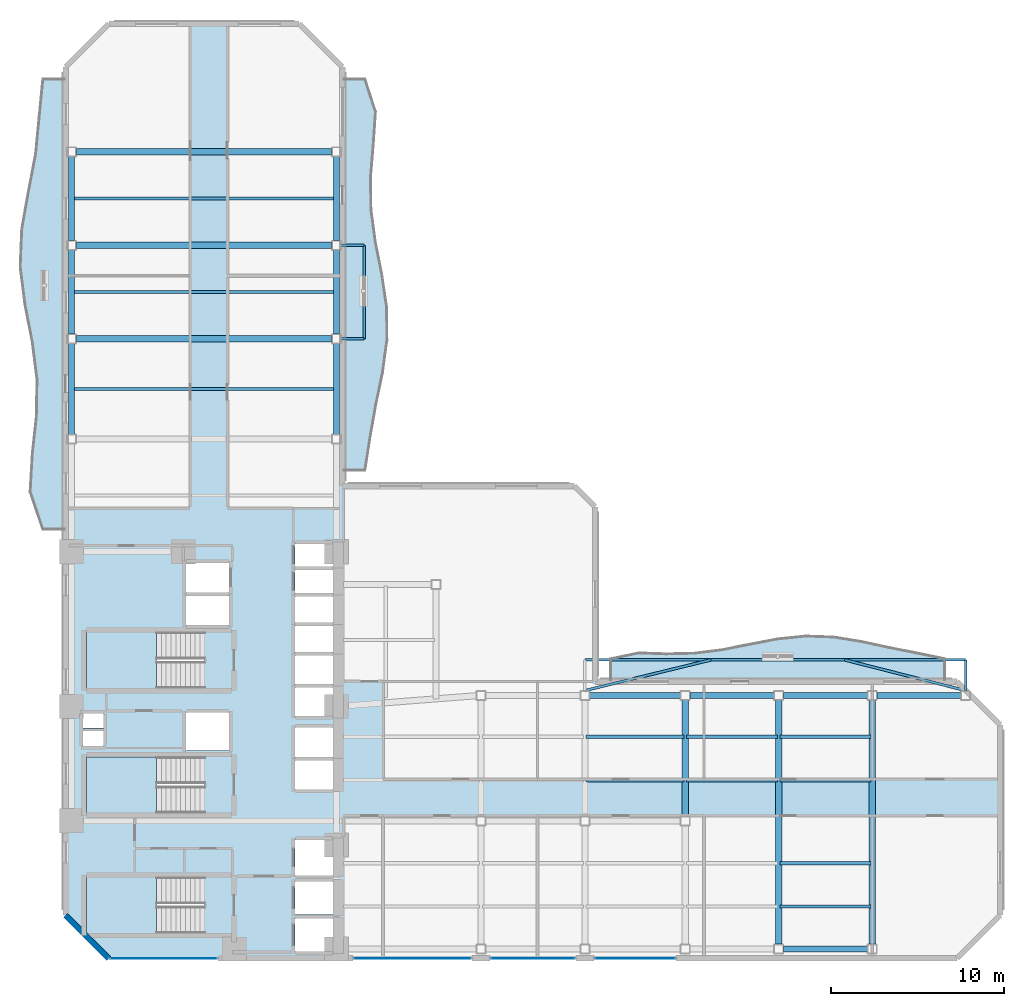
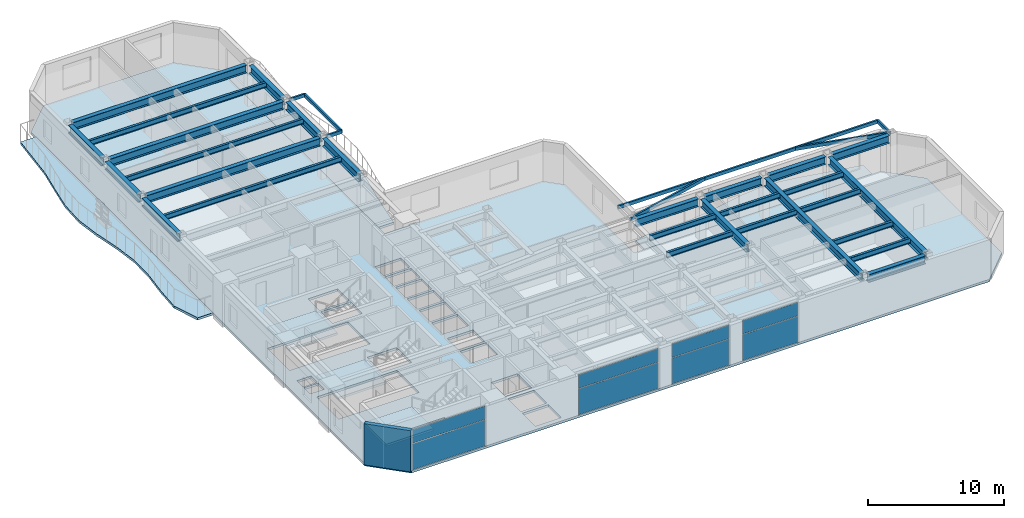
# One storey, part 8 of 16: 35 beams, 8 plates, 7 slabs, 1 wall, 7 elements without a shape of their own.
"""IFC4 building model written with IfcOpenShell, lengths in metres."""

from ifc_helpers import new_model, si_unit, direction, frame, frame_2d, origin, origin_2d, place, context, subcontext, project, spatial, polyline, rectangle, hollow_rectangle, i_section, outline, extrude, material, layer, layer_set, material_profile, profile_set, type_object, element, aggregate, save


model = new_model("IFC4")

# Units and contexts
model_context = context("Model", 3, precision=1e-05, world=origin(), true_north=direction((0.0, 1.0)))
body_context = subcontext(model_context, "Body", "Model", "MODEL_VIEW")
ifc_project = project(units=[si_unit("LENGTHUNIT", "METRE"), si_unit("AREAUNIT", "SQUARE_METRE"), si_unit("VOLUMEUNIT", "CUBIC_METRE"), si_unit("PLANEANGLEUNIT", "RADIAN"), si_unit("MASSUNIT", "GRAM", prefix="KILO")], contexts=[model_context])

# Site, building, storey
site_placement = place(None, origin())
site = spatial("IfcSite", under=ifc_project, at=site_placement, CompositionType="ELEMENT")
building_placement = place(site_placement, origin())
building = spatial("IfcBuilding", under=site, at=building_placement, Name="Mawjaban Terraces University", CompositionType="ELEMENT")
storey_placement = place(building_placement, frame((0.0, 0.0, 54.39990234375)))
storey = spatial("IfcBuildingStorey", under=building, at=storey_placement, Name="L12", CompositionType="ELEMENT", Elevation=54.39990234375)

# Beams
ifc_material_1 = material(Name="Steel EN 10210-1 S355J2H", Category="steel")
ifc_material_profile_1 = material_profile(ifc_material_1, hollow_rectangle(XDim=0.14990234375, YDim=0.300048828125, WallThickness=0.012451171875, at=origin_2d()), Name="RHS300X150X12.5")
ifc_profile_set_1 = profile_set([ifc_material_profile_1], Name="Steel EN 10210-1 S355J2H")
beam_type_1 = type_object("IfcBeamType", Name="BalconyCantileverSpandrel_RHS", PredefinedType="SPANDREL", material=ifc_profile_set_1)
beam_1_placement = place(storey_placement, frame((74.0, 15.47509765625, 3.5400390625), z_axis=(0.0, 1.0, 0.0), x_axis=(-1.0, 0.0, 0.0)))
element("IfcBeam", 1, at=beam_1_placement, inside=storey, type_object=beam_type_1, Name="L12 Exterior Outrigger BAL-L13-N.2", PredefinedType="SPANDREL", context=body_context, shape_type="SweptSolid", body=[
    extrude(hollow_rectangle(XDim=0.14990234375, YDim=0.300048828125, WallThickness=0.012451171875, at=origin_2d()), origin(), (0.0, 0.0, 1.0), 1.77490234375),
])
beam_2_placement = place(storey_placement, frame((52.0, 17.25, 3.5400390625), z_axis=(1.0, 0.0, 0.0), x_axis=(0.0, 1.0, 0.0)))
element("IfcBeam", 2, at=beam_2_placement, inside=storey, type_object=beam_type_1, Name="L12 Exterior Edge Spandrel BAL-L13-N", PredefinedType="SPANDREL", context=body_context, shape_type="SweptSolid", body=[
    extrude(hollow_rectangle(XDim=0.14990234375, YDim=0.300048828125, WallThickness=0.012451171875, at=origin_2d()), origin(), (0.0, 0.0, 1.0), 22.0),
])
beam_3_placement = place(storey_placement, frame((52.0, 15.47509765625, 3.5400390625), z_axis=(0.971617089305, 0.236559150678, 0.0), x_axis=(-0.236559150678, 0.971617089305, 0.0)))
element("IfcBeam", 3, at=beam_3_placement, inside=storey, type_object=beam_type_1, Name="L12 Exterior Diagonal Strut BAL-L13-N.1", PredefinedType="SPANDREL", context=body_context, shape_type="SweptSolid", body=[
    extrude(hollow_rectangle(XDim=0.14990234375, YDim=0.300048828125, WallThickness=0.012451171875, at=origin_2d()), origin(), (0.0, 0.0, 1.0), 7.5029296875),
])
beam_4_placement = place(storey_placement, frame((74.0, 15.47509765625, 3.5400390625), z_axis=(-0.96924179348, 0.246110434096, 0.0), x_axis=(-0.246110434096, -0.96924179348, 0.0)))
element("IfcBeam", 4, at=beam_4_placement, inside=storey, type_object=beam_type_1, Name="L12 Exterior Diagonal Strut BAL-L13-N.2", PredefinedType="SPANDREL", context=body_context, shape_type="SweptSolid", body=[
    extrude(hollow_rectangle(XDim=0.14990234375, YDim=0.300048828125, WallThickness=0.012451171875, at=origin_2d()), origin(), (0.0, 0.0, 1.0), 7.2119140625),
])
for number, where, z_axis, x_axis, name in (
    (5, (37.925048828125, 35.800048828125, 3.5400390625), (1.0, 0.0, 0.0), (0.0, 1.0, 0.0), "L12 Exterior Outrigger BAL-L13-E.1"),
    (6, (37.925048828125, 41.199951171875, 3.5400390625), (1.0, 0.0, 0.0), (0.0, 1.0, 0.0), "L12 Exterior Outrigger BAL-L13-E.2"),
):
    element("IfcBeam", number, at=place(storey_placement, frame(where, z_axis=z_axis, x_axis=x_axis)), inside=storey, type_object=beam_type_1, Name=name, PredefinedType="SPANDREL", context=body_context, shape_type="SweptSolid", body=[
        extrude(hollow_rectangle(XDim=0.14990234375, YDim=0.300048828125, WallThickness=0.012451171875, at=origin_2d()), origin(), (0.0, 0.0, 1.0), 1.324951171875),
    ])
beam_5_placement = place(storey_placement, frame((39.25, 35.800048828125, 3.5400390625), z_axis=(0.0, 1.0, 0.0), x_axis=(-1.0, 0.0, 0.0)))
element("IfcBeam", 7, at=beam_5_placement, inside=storey, type_object=beam_type_1, Name="L12 Exterior Edge Spandrel BAL-L13-E", PredefinedType="SPANDREL", context=body_context, shape_type="SweptSolid", body=[
    extrude(hollow_rectangle(XDim=0.14990234375, YDim=0.300048828125, WallThickness=0.012451171875, at=origin_2d()), origin(), (0.0, 0.0, 1.0), 5.39990234375),
])
ifc_material_2 = material(Name="Steel ASTM A572 Grade 50", Category="steel")
ifc_material_profile_2 = material_profile(ifc_material_2, i_section(OverallWidth=0.35498046875, OverallDepth=0.695068359375, WebThickness=0.015380859375, FlangeThickness=0.02490234375, at=origin_2d()), Name="W690X217")
ifc_profile_set_2 = profile_set([ifc_material_profile_2], Name="Steel ASTM A572 Grade 50")
beam_type_2 = type_object("IfcBeamType", Name="Beam_B_W690X217", PredefinedType="BEAM", material=ifc_profile_set_2)
beam_6_placement = place(storey_placement, frame((63.47509765625, 0.550048828125, 3.343017578125), z_axis=(1.0, 0.0, 0.0), x_axis=(0.0, 1.0, 0.0)))
element("IfcBeam", 8, at=beam_6_placement, inside=storey, type_object=beam_type_2, Name="L12 Beam BM-L12-EW-05", PredefinedType="BEAM", context=body_context, shape_type="SweptSolid", body=[
    extrude(i_section(OverallWidth=0.35498046875, OverallDepth=0.695068359375, WebThickness=0.015380859375, FlangeThickness=0.02490234375, at=origin_2d()), origin(), (0.0, 0.0, 1.0), 4.849853515625),
])
beam_7_placement = place(storey_placement, frame((52.27490234375, 15.199951171875, 3.343017578125), z_axis=(1.0, 0.0, 0.0), x_axis=(0.0, 1.0, 0.0)))
element("IfcBeam", 9, at=beam_7_placement, inside=storey, type_object=beam_type_2, Name="L12 Beam BM-L12-EW-10", PredefinedType="BEAM", context=body_context, shape_type="SweptSolid", body=[
    extrude(i_section(OverallWidth=0.35498046875, OverallDepth=0.695068359375, WebThickness=0.015380859375, FlangeThickness=0.02490234375, at=origin_2d()), origin(), (0.0, 0.0, 1.0), 5.25),
])
beam_8_placement = place(storey_placement, frame((58.074951171875, 15.199951171875, 3.343017578125), z_axis=(1.0, 0.0, 0.0), x_axis=(0.0, 1.0, 0.0)))
element("IfcBeam", 10, at=beam_8_placement, inside=storey, type_object=beam_type_2, Name="L12 Beam BM-L12-EW-11", PredefinedType="BEAM", context=body_context, shape_type="SweptSolid", body=[
    extrude(i_section(OverallWidth=0.35498046875, OverallDepth=0.695068359375, WebThickness=0.015380859375, FlangeThickness=0.02490234375, at=origin_2d()), origin(), (0.0, 0.0, 1.0), 4.85009765625),
])
beam_9_placement = place(storey_placement, frame((63.47509765625, 15.199951171875, 3.343017578125), z_axis=(1.0, 0.0, 0.0), x_axis=(0.0, 1.0, 0.0)))
element("IfcBeam", 11, at=beam_9_placement, inside=storey, type_object=beam_type_2, Name="L12 Beam BM-L12-EW-12", PredefinedType="BEAM", context=body_context, shape_type="SweptSolid", body=[
    extrude(i_section(OverallWidth=0.35498046875, OverallDepth=0.695068359375, WebThickness=0.015380859375, FlangeThickness=0.02490234375, at=origin_2d()), origin(), (0.0, 0.0, 1.0), 4.849853515625),
])
beam_10_placement = place(storey_placement, frame((68.875, 15.199951171875, 3.343017578125), z_axis=(1.0, 0.0, 0.0), x_axis=(0.0, 1.0, 0.0)))
element("IfcBeam", 12, at=beam_10_placement, inside=storey, type_object=beam_type_2, Name="L12 Beam BM-L12-EW-13", PredefinedType="BEAM", context=body_context, shape_type="SweptSolid", body=[
    extrude(i_section(OverallWidth=0.35498046875, OverallDepth=0.695068359375, WebThickness=0.015380859375, FlangeThickness=0.02490234375, at=origin_2d()), origin(), (0.0, 0.0, 1.0), 4.85009765625),
])
for number, where, z_axis, x_axis, name in (
    (13, (22.625, 35.800048828125, 3.343017578125), (1.0, 0.0, 0.0), (0.0, 1.0, 0.0), "L12 Beam BM-L12-EW-16"),
    (14, (22.625, 41.199951171875, 3.343017578125), (1.0, 0.0, 0.0), (0.0, 1.0, 0.0), "L12 Beam BM-L12-EW-17"),
    (15, (22.625, 46.60009765625, 3.343017578125), (1.0, 0.0, 0.0), (0.0, 1.0, 0.0), "L12 Beam BM-L12-EW-18"),
):
    element("IfcBeam", number, at=place(storey_placement, frame(where, z_axis=z_axis, x_axis=x_axis)), inside=storey, type_object=beam_type_2, Name=name, PredefinedType="BEAM", context=body_context, shape_type="SweptSolid", body=[
        extrude(i_section(OverallWidth=0.35498046875, OverallDepth=0.695068359375, WebThickness=0.015380859375, FlangeThickness=0.02490234375, at=origin_2d()), origin(), (0.0, 0.0, 1.0), 14.75),
    ])
beam_11_placement = place(storey_placement, frame((22.35009765625, 30.27490234375, 3.343017578125), z_axis=(0.0, 1.0, 0.0), x_axis=(-1.0, 0.0, 0.0)))
element("IfcBeam", 16, at=beam_11_placement, inside=storey, type_object=beam_type_2, Name="L12 Beam BM-L12-NS-04", PredefinedType="BEAM", context=body_context, shape_type="SweptSolid", body=[
    extrude(i_section(OverallWidth=0.35498046875, OverallDepth=0.695068359375, WebThickness=0.015380859375, FlangeThickness=0.02490234375, at=origin_2d()), origin(), (0.0, 0.0, 1.0), 5.25),
])
beam_12_placement = place(storey_placement, frame((22.35009765625, 36.074951171875, 3.343017578125), z_axis=(0.0, 1.0, 0.0), x_axis=(-1.0, 0.0, 0.0)))
element("IfcBeam", 17, at=beam_12_placement, inside=storey, type_object=beam_type_2, Name="L12 Beam BM-L12-NS-05", PredefinedType="BEAM", context=body_context, shape_type="SweptSolid", body=[
    extrude(i_section(OverallWidth=0.35498046875, OverallDepth=0.695068359375, WebThickness=0.015380859375, FlangeThickness=0.02490234375, at=origin_2d()), origin(), (0.0, 0.0, 1.0), 4.85009765625),
])
beam_13_placement = place(storey_placement, frame((22.35009765625, 41.47509765625, 3.343017578125), z_axis=(0.0, 1.0, 0.0), x_axis=(-1.0, 0.0, 0.0)))
element("IfcBeam", 18, at=beam_13_placement, inside=storey, type_object=beam_type_2, Name="L12 Beam BM-L12-NS-06", PredefinedType="BEAM", context=body_context, shape_type="SweptSolid", body=[
    extrude(i_section(OverallWidth=0.35498046875, OverallDepth=0.695068359375, WebThickness=0.015380859375, FlangeThickness=0.02490234375, at=origin_2d()), origin(), (0.0, 0.0, 1.0), 4.849853515625),
])
beam_14_placement = place(storey_placement, frame((37.64990234375, 30.27490234375, 3.343017578125), z_axis=(0.0, 1.0, 0.0), x_axis=(-1.0, 0.0, 0.0)))
element("IfcBeam", 19, at=beam_14_placement, inside=storey, type_object=beam_type_2, Name="L12 Beam BM-L12-NS-11", PredefinedType="BEAM", context=body_context, shape_type="SweptSolid", body=[
    extrude(i_section(OverallWidth=0.35498046875, OverallDepth=0.695068359375, WebThickness=0.015380859375, FlangeThickness=0.02490234375, at=origin_2d()), origin(), (0.0, 0.0, 1.0), 5.25),
])
beam_15_placement = place(storey_placement, frame((37.64990234375, 36.074951171875, 3.343017578125), z_axis=(0.0, 1.0, 0.0), x_axis=(-1.0, 0.0, 0.0)))
element("IfcBeam", 20, at=beam_15_placement, inside=storey, type_object=beam_type_2, Name="L12 Beam BM-L12-NS-12", PredefinedType="BEAM", context=body_context, shape_type="SweptSolid", body=[
    extrude(i_section(OverallWidth=0.35498046875, OverallDepth=0.695068359375, WebThickness=0.015380859375, FlangeThickness=0.02490234375, at=origin_2d()), origin(), (0.0, 0.0, 1.0), 4.85009765625),
])
beam_16_placement = place(storey_placement, frame((37.64990234375, 41.47509765625, 3.343017578125), z_axis=(0.0, 1.0, 0.0), x_axis=(-1.0, 0.0, 0.0)))
element("IfcBeam", 21, at=beam_16_placement, inside=storey, type_object=beam_type_2, Name="L12 Beam BM-L12-NS-13", PredefinedType="BEAM", context=body_context, shape_type="SweptSolid", body=[
    extrude(i_section(OverallWidth=0.35498046875, OverallDepth=0.695068359375, WebThickness=0.015380859375, FlangeThickness=0.02490234375, at=origin_2d()), origin(), (0.0, 0.0, 1.0), 4.849853515625),
])
beam_17_placement = place(storey_placement, frame((57.800048828125, 8.22509765625, 3.343017578125), z_axis=(0.0, 1.0, 0.0), x_axis=(-1.0, 0.0, 0.0)))
element("IfcBeam", 22, at=beam_17_placement, inside=storey, type_object=beam_type_2, Name="L12 Beam BM-L12-NS-19", PredefinedType="BEAM", context=body_context, shape_type="SweptSolid", body=[
    extrude(i_section(OverallWidth=0.35498046875, OverallDepth=0.695068359375, WebThickness=0.015380859375, FlangeThickness=0.02490234375, at=origin_2d()), origin(), (0.0, 0.0, 1.0), 6.699951171875),
])
for number, where, z_axis, x_axis, name in (
    (23, (63.199951171875, 0.824951171875, 3.343017578125), (0.0, 1.0, 0.0), (-1.0, 0.0, 0.0), "L12 Beam BM-L12-NS-20"),
    (24, (68.60009765625, 0.824951171875, 3.343017578125), (0.0, 1.0, 0.0), (-1.0, 0.0, 0.0), "L12 Beam BM-L12-NS-21"),
):
    element("IfcBeam", number, at=place(storey_placement, frame(where, z_axis=z_axis, x_axis=x_axis)), inside=storey, type_object=beam_type_2, Name=name, PredefinedType="BEAM", context=body_context, shape_type="SweptSolid", body=[
        extrude(i_section(OverallWidth=0.35498046875, OverallDepth=0.695068359375, WebThickness=0.015380859375, FlangeThickness=0.02490234375, at=origin_2d()), origin(), (0.0, 0.0, 1.0), 14.10009765625),
    ])
ifc_material_profile_3 = material_profile(ifc_material_2, i_section(OverallWidth=0.19189453125, OverallDepth=0.462890625, WebThickness=0.010498046875, FlangeThickness=0.017578125, at=origin_2d()), Name="W460X89")
ifc_profile_set_3 = profile_set([ifc_material_profile_3], Name="Steel ASTM A572 Grade 50")
beam_type_3 = type_object("IfcBeamType", Name="Beam_J_W460X89", PredefinedType="JOIST", material=ifc_profile_set_3)
for number, where, z_axis, x_axis, name in (
    (25, (63.280029296875, 3.0, 3.458984375), (1.0, 0.0, 0.0), (0.0, 1.0, 0.0), "L12 Composite Joist JST-L12-05"),
    (26, (63.280029296875, 5.5, 3.458984375), (1.0, 0.0, 0.0), (0.0, 1.0, 0.0), "L12 Composite Joist JST-L12-10"),
):
    element("IfcBeam", number, at=place(storey_placement, frame(where, z_axis=z_axis, x_axis=x_axis)), inside=storey, type_object=beam_type_3, Name=name, PredefinedType="JOIST", context=body_context, shape_type="SweptSolid", body=[
        extrude(i_section(OverallWidth=0.19189453125, OverallDepth=0.462890625, WebThickness=0.010498046875, FlangeThickness=0.017578125, at=origin_2d()), origin(), (0.0, 0.0, 1.0), 5.239990234375),
    ])
beam_18_placement = place(storey_placement, frame((52.080078125, 10.300048828125, 3.458984375), z_axis=(1.0, 0.0, 0.0), x_axis=(0.0, 1.0, 0.0)))
element("IfcBeam", 27, at=beam_18_placement, inside=storey, type_object=beam_type_3, Name="L12 Composite Joist JST-L12-13", PredefinedType="JOIST", context=body_context, shape_type="SweptSolid", body=[
    extrude(i_section(OverallWidth=0.19189453125, OverallDepth=0.462890625, WebThickness=0.010498046875, FlangeThickness=0.017578125, at=origin_2d()), origin(), (0.0, 0.0, 1.0), 5.639892578125),
])
beam_19_placement = place(storey_placement, frame((57.8798828125, 10.300048828125, 3.458984375), z_axis=(1.0, 0.0, 0.0), x_axis=(0.0, 1.0, 0.0)))
element("IfcBeam", 28, at=beam_19_placement, inside=storey, type_object=beam_type_3, Name="L12 Composite Joist JST-L12-14", PredefinedType="JOIST", context=body_context, shape_type="SweptSolid", body=[
    extrude(i_section(OverallWidth=0.19189453125, OverallDepth=0.462890625, WebThickness=0.010498046875, FlangeThickness=0.017578125, at=origin_2d()), origin(), (0.0, 0.0, 1.0), 5.240234375),
])
beam_20_placement = place(storey_placement, frame((63.280029296875, 10.300048828125, 3.458984375), z_axis=(1.0, 0.0, 0.0), x_axis=(0.0, 1.0, 0.0)))
element("IfcBeam", 29, at=beam_20_placement, inside=storey, type_object=beam_type_3, Name="L12 Composite Joist JST-L12-15", PredefinedType="JOIST", context=body_context, shape_type="SweptSolid", body=[
    extrude(i_section(OverallWidth=0.19189453125, OverallDepth=0.462890625, WebThickness=0.010498046875, FlangeThickness=0.017578125, at=origin_2d()), origin(), (0.0, 0.0, 1.0), 5.239990234375),
])
beam_21_placement = place(storey_placement, frame((52.080078125, 12.800048828125, 3.458984375), z_axis=(1.0, 0.0, 0.0), x_axis=(0.0, 1.0, 0.0)))
element("IfcBeam", 30, at=beam_21_placement, inside=storey, type_object=beam_type_3, Name="L12 Composite Joist JST-L12-18", PredefinedType="JOIST", context=body_context, shape_type="SweptSolid", body=[
    extrude(i_section(OverallWidth=0.19189453125, OverallDepth=0.462890625, WebThickness=0.010498046875, FlangeThickness=0.017578125, at=origin_2d()), origin(), (0.0, 0.0, 1.0), 5.639892578125),
])
beam_22_placement = place(storey_placement, frame((57.8798828125, 12.800048828125, 3.458984375), z_axis=(1.0, 0.0, 0.0), x_axis=(0.0, 1.0, 0.0)))
element("IfcBeam", 31, at=beam_22_placement, inside=storey, type_object=beam_type_3, Name="L12 Composite Joist JST-L12-19", PredefinedType="JOIST", context=body_context, shape_type="SweptSolid", body=[
    extrude(i_section(OverallWidth=0.19189453125, OverallDepth=0.462890625, WebThickness=0.010498046875, FlangeThickness=0.017578125, at=origin_2d()), origin(), (0.0, 0.0, 1.0), 5.240234375),
])
beam_23_placement = place(storey_placement, frame((63.280029296875, 12.800048828125, 3.458984375), z_axis=(1.0, 0.0, 0.0), x_axis=(0.0, 1.0, 0.0)))
element("IfcBeam", 32, at=beam_23_placement, inside=storey, type_object=beam_type_3, Name="L12 Composite Joist JST-L12-20", PredefinedType="JOIST", context=body_context, shape_type="SweptSolid", body=[
    extrude(i_section(OverallWidth=0.19189453125, OverallDepth=0.462890625, WebThickness=0.010498046875, FlangeThickness=0.017578125, at=origin_2d()), origin(), (0.0, 0.0, 1.0), 5.239990234375),
])
for number, where, z_axis, x_axis, name in (
    (33, (22.429931640625, 32.89990234375, 3.458984375), (1.0, 0.0, 0.0), (0.0, 1.0, 0.0), "L12 Composite Joist JST-L12-23"),
    (34, (22.429931640625, 38.5, 3.458984375), (1.0, 0.0, 0.0), (0.0, 1.0, 0.0), "L12 Composite Joist JST-L12-24"),
    (35, (22.429931640625, 43.89990234375, 3.458984375), (1.0, 0.0, 0.0), (0.0, 1.0, 0.0), "L12 Composite Joist JST-L12-25"),
):
    element("IfcBeam", number, at=place(storey_placement, frame(where, z_axis=z_axis, x_axis=x_axis)), inside=storey, type_object=beam_type_3, Name=name, PredefinedType="JOIST", context=body_context, shape_type="SweptSolid", body=[
        extrude(i_section(OverallWidth=0.19189453125, OverallDepth=0.462890625, WebThickness=0.010498046875, FlangeThickness=0.017578125, at=origin_2d()), origin(), (0.0, 0.0, 1.0), 15.14013671875),
    ])

# Slabs
ifc_material_3 = material(Name="Concrete C40/50", Category="concrete")
ifc_layer_1 = layer(ifc_material_3, 0.2099609375)
ifc_layer_set_1 = layer_set([ifc_layer_1], Name="Concrete C40/50")
slab_type_1 = type_object("IfcSlabType", Name="BalconySlab_210_Ext", PredefinedType="FLOOR", material=ifc_layer_set_1)
slab_1_placement = place(storey_placement, frame((0.0, 0.0, -0.2099609375)))
element("IfcSlab", 36, at=slab_1_placement, inside=storey, type_object=slab_type_1, Name="L12 Planted Balcony Slab west", PredefinedType="FLOOR", context=body_context, shape_type="SweptSolid", body=[
    extrude(outline(polyline([(22.010009765625, 24.800048828125), (22.010009765625, 50.800048828125), (20.699951171875, 50.800048828125), (20.489013671875, 48.633056640625), (20.280029296875, 46.467041015625), (19.864990234375, 44.300048828125), (19.48095703125, 42.133056640625), (19.39306640625, 39.967041015625), (19.6630859375, 37.800048828125), (20.087890625, 35.633056640625), (20.363037109375, 33.467041015625), (20.324951171875, 31.300048828125), (20.090087890625, 29.133056640625), (19.966064453125, 26.967041015625), (20.699951171875, 24.800048828125), (22.010009765625, 24.800048828125)])), origin(), (0.0, 0.0, 1.0), 0.2099609375),
])
slab_2_placement = place(storey_placement, frame((0.0, 0.0, -0.2099609375)))
element("IfcSlab", 37, at=slab_2_placement, inside=storey, type_object=slab_type_1, Name="L12 Planted Balcony Slab inner_north", PredefinedType="FLOOR", context=body_context, shape_type="SweptSolid", body=[
    extrude(outline(polyline([(53.5, 15.989990234375), (72.800048828125, 15.989990234375), (72.800048828125, 17.300048828125), (71.19189453125, 17.631103515625), (69.5830078125, 17.948974609375), (67.97509765625, 18.300048828125), (66.366943359375, 18.555908203125), (64.758056640625, 18.613037109375), (63.14990234375, 18.448974609375), (61.5419921875, 18.14208984375), (59.93310546875, 17.823974609375), (58.324951171875, 17.6220703125), (56.717041015625, 17.5830078125), (55.10791015625, 17.638916015625), (53.5, 17.300048828125), (53.5, 15.989990234375)])), origin(), (0.0, 0.0, 1.0), 0.2099609375),
])
slab_3_placement = place(storey_placement, frame((0.0, 0.0, -0.2099609375)))
element("IfcSlab", 38, at=slab_3_placement, inside=storey, type_object=slab_type_1, Name="L12 Planted Balcony Slab inner_east", PredefinedType="FLOOR", context=body_context, shape_type="SweptSolid", body=[
    extrude(outline(polyline([(39.300048828125, 28.195068359375), (39.593017578125, 30.0791015625), (39.926025390625, 31.9619140625), (40.318115234375, 33.845947265625), (40.575927734375, 35.72998046875), (40.55810546875, 37.614013671875), (40.281005859375, 39.498046875), (39.908935546875, 41.381103515625), (39.653076171875, 43.264892578125), (39.6298828125, 45.14892578125), (39.787109375, 47.031982421875), (39.9140625, 48.916015625), (39.300048828125, 50.800048828125), (37.989990234375, 50.800048828125), (37.989990234375, 28.195068359375), (39.300048828125, 28.195068359375)])), origin(), (0.0, 0.0, 1.0), 0.2099609375),
])
ifc_layer_2 = layer(ifc_material_3, 0.2099609375)
ifc_layer_set_2 = layer_set([ifc_layer_2], Name="Concrete C40/50")
slab_type_2 = type_object("IfcSlabType", Name="CompositeSlab_210", PredefinedType="FLOOR", material=ifc_layer_set_2)
slab_4_placement = place(storey_placement, frame((0.0, 0.0, -0.2099609375)))
element("IfcSlab", 39, at=slab_4_placement, inside=storey, type_object=slab_type_2, Name="L12 Primary Structural Slab", PredefinedType="FLOOR", context=body_context, shape_type="SweptSolid", body=[
    extrude(outline(polyline([(24.5, 0.0), (73.5, 0.0), (76.0, 2.5), (76.0, 13.5), (73.5, 16.0), (52.60009765625, 16.0), (52.60009765625, 26.094970703125), (51.39990234375, 27.294921875), (38.0, 27.294921875), (38.0, 51.5), (35.5, 54.0), (24.5, 54.0), (22.0, 51.5), (22.0, 2.5), (24.5, 0.0)]), holes=[polyline([(30.014892578125, 4.699951171875), (23.199951171875, 4.699951171875), (23.199951171875, 1.449951171875), (30.014892578125, 1.449951171875), (30.014892578125, 4.699951171875)]), polyline([(30.014892578125, 18.85009765625), (23.199951171875, 18.85009765625), (23.199951171875, 15.60009765625), (30.014892578125, 15.60009765625), (30.014892578125, 18.85009765625)]), polyline([(30.014892578125, 11.64990234375), (23.199951171875, 11.64990234375), (23.199951171875, 8.39990234375), (30.014892578125, 8.39990234375), (30.014892578125, 11.64990234375)]), polyline([(35.25, 0.39990234375), (37.449951171875, 0.39990234375), (37.449951171875, 2.300048828125), (35.25, 2.300048828125), (35.25, 0.39990234375)]), polyline([(35.25, 2.550048828125), (37.449951171875, 2.550048828125), (37.449951171875, 4.449951171875), (35.25, 4.449951171875), (35.25, 2.550048828125)]), polyline([(35.25, 4.800048828125), (37.449951171875, 4.800048828125), (37.449951171875, 6.85009765625), (35.25, 6.85009765625), (35.25, 4.800048828125)]), polyline([(35.25, 9.75), (37.449951171875, 9.75), (37.449951171875, 11.449951171875), (35.25, 11.449951171875), (35.25, 9.75)]), polyline([(35.25, 11.64990234375), (37.449951171875, 11.64990234375), (37.449951171875, 13.35009765625), (35.25, 13.35009765625), (35.25, 11.64990234375)]), polyline([(28.949951171875, 12.0), (31.449951171875, 12.0), (31.449951171875, 14.199951171875), (28.949951171875, 14.199951171875), (28.949951171875, 12.0)]), polyline([(35.25, 14.0), (37.449951171875, 14.0), (37.449951171875, 15.64990234375), (35.25, 15.64990234375), (35.25, 14.0)]), polyline([(35.25, 15.85009765625), (37.449951171875, 15.85009765625), (37.449951171875, 17.5), (35.25, 17.5), (35.25, 15.85009765625)]), polyline([(35.25, 17.699951171875), (37.449951171875, 17.699951171875), (37.449951171875, 19.199951171875), (35.25, 19.199951171875), (35.25, 17.699951171875)]), polyline([(35.25, 19.39990234375), (37.449951171875, 19.39990234375), (37.449951171875, 20.89990234375), (35.25, 20.89990234375), (35.25, 19.39990234375)]), polyline([(28.949951171875, 19.25), (31.449951171875, 19.25), (31.449951171875, 20.949951171875), (28.949951171875, 20.949951171875), (28.949951171875, 19.25)]), polyline([(35.25, 21.10009765625), (37.449951171875, 21.10009765625), (37.449951171875, 22.449951171875), (35.25, 22.449951171875), (35.25, 21.10009765625)]), polyline([(35.25, 22.64990234375), (37.449951171875, 22.64990234375), (37.449951171875, 23.949951171875), (35.25, 23.949951171875), (35.25, 22.64990234375)]), polyline([(28.949951171875, 21.14990234375), (31.449951171875, 21.14990234375), (31.449951171875, 22.85009765625), (28.949951171875, 22.85009765625), (28.949951171875, 21.14990234375)]), polyline([(23.0, 12.25), (24.199951171875, 12.25), (24.199951171875, 13.14990234375), (23.0, 13.14990234375), (23.0, 12.25)]), polyline([(23.0, 13.300048828125), (24.199951171875, 13.300048828125), (24.199951171875, 14.179931640625), (23.0, 14.179931640625), (23.0, 13.300048828125)])]), origin(), (0.0, 0.0, 1.0), 0.2099609375),
])

# Stair, slab
stair_type = type_object("IfcStairType", Name="Stair_Core1550_H39", PredefinedType="HALF_TURN_STAIR", material=ifc_material_3)
stair_1_placement = place(storey_placement, origin())
stair_1 = element("IfcStair", 40, at=stair_1_placement, inside=storey, type_object=stair_type, Name="L12 Core Exit Stair 1", PredefinedType="HALF_TURN_STAIR")
ifc_layer_3 = layer(ifc_material_3, 0.199951171875)
ifc_layer_set_3 = layer_set([ifc_layer_3], Name="Concrete C40/50")
slab_type_3 = type_object("IfcSlabType", Name="StairLandingSlab_200", PredefinedType="LANDING", material=ifc_layer_set_3)
slab_5_placement = place(storey_placement, frame((0.0, 0.0, 1.75)))
slab_5 = element("IfcSlab", 41, at=slab_5_placement, type_object=slab_type_3, Name="ST-1 landing 1", PredefinedType="LANDING", context=body_context, shape_type="SweptSolid", body=[
    extrude(outline(polyline([(27.25, 4.699951171875), (23.199951171875, 4.699951171875), (23.199951171875, 1.449951171875), (27.25, 1.449951171875), (27.25, 4.699951171875)])), origin(), (0.0, 0.0, 1.0), 0.2001953125),
])
aggregate(stair_1, [slab_5])

stair_2_placement = place(storey_placement, origin())
stair_2 = element("IfcStair", 42, at=stair_2_placement, inside=storey, type_object=stair_type, Name="L12 Core Exit Stair 2", PredefinedType="HALF_TURN_STAIR")
slab_6_placement = place(storey_placement, frame((0.0, 0.0, 1.75)))
slab_6 = element("IfcSlab", 43, at=slab_6_placement, type_object=slab_type_3, Name="ST-2 landing 1", PredefinedType="LANDING", context=body_context, shape_type="SweptSolid", body=[
    extrude(outline(polyline([(27.25, 18.85009765625), (23.199951171875, 18.85009765625), (23.199951171875, 15.60009765625), (27.25, 15.60009765625), (27.25, 18.85009765625)])), origin(), (0.0, 0.0, 1.0), 0.2001953125),
])
aggregate(stair_2, [slab_6])

stair_3_placement = place(storey_placement, origin())
stair_3 = element("IfcStair", 44, at=stair_3_placement, inside=storey, type_object=stair_type, Name="L12 Core Exit Stair 3", PredefinedType="HALF_TURN_STAIR")
slab_7_placement = place(storey_placement, frame((0.0, 0.0, 1.75)))
slab_7 = element("IfcSlab", 45, at=slab_7_placement, type_object=slab_type_3, Name="ST-3 landing 1", PredefinedType="LANDING", context=body_context, shape_type="SweptSolid", body=[
    extrude(outline(polyline([(27.25, 11.64990234375), (23.199951171875, 11.64990234375), (23.199951171875, 8.39990234375), (27.25, 8.39990234375), (27.25, 11.64990234375)])), origin(), (0.0, 0.0, 1.0), 0.2001953125),
])
aggregate(stair_3, [slab_7])

# Curtain wall, plates
ifc_material_4 = material(Name="Anodised aluminium 6063-T6 and solar-control low-E glass", Category="aluminium")
ifc_layer_4 = layer(ifc_material_4, 0.1650390625)
ifc_layer_set_4 = layer_set([ifc_layer_4], Name="Anodised aluminium 6063-T6 and solar-control low-E glass")
curtain_wall_type = type_object("IfcCurtainWallType", Name="CWSystem_04_EastWing", PredefinedType="NOTDEFINED", material=ifc_layer_set_4)
curtain_wall_1_placement = place(storey_placement, origin())
curtain_wall_1 = element("IfcCurtainWall", 46, at=curtain_wall_1_placement, inside=storey, type_object=curtain_wall_type, Name="L12 Curtain Wall CW-04 Run 1.1", PredefinedType="NOTDEFINED")
ifc_material_5 = material(Name="Low-E solar-control double glazing", Category="glass")
ifc_layer_5 = layer(ifc_material_5, 0.028076171875)
ifc_layer_set_5 = layer_set([ifc_layer_5], Name="Low-E solar-control double glazing")
plate_type = type_object("IfcPlateType", Name="VisionPanel_CW-04", PredefinedType="CURTAIN_PANEL", material=ifc_layer_set_5)
plate_1_placement = place(storey_placement, frame((27.64990234375, 0.0, 0.06005859375), z_axis=(0.0, 0.0, 1.0), x_axis=(1.0, 0.0, 0.0)))
plate_1 = element("IfcPlate", 47, at=plate_1_placement, type_object=plate_type, Name="CW-04 panel 1.1", PredefinedType="CURTAIN_PANEL", context=body_context, shape_type="SweptSolid", body=[
    extrude(rectangle(XDim=6.169921875, YDim=0.028076171875, at=origin_2d()), origin(), (0.0, 0.0, 1.0), 2.30908203125),
])
plate_2_placement = place(storey_placement, frame((27.64990234375, 0.0, 2.42919921875), z_axis=(0.0, 0.0, 1.0), x_axis=(1.0, 0.0, 0.0)))
plate_2 = element("IfcPlate", 48, at=plate_2_placement, type_object=plate_type, Name="CW-04 panel 1.2", PredefinedType="CURTAIN_PANEL", context=body_context, shape_type="SweptSolid", body=[
    extrude(rectangle(XDim=6.169921875, YDim=0.028076171875, at=origin_2d()), origin(), (0.0, 0.0, 1.0), 1.200927734375),
])
aggregate(curtain_wall_1, [plate_1, plate_2])

curtain_wall_2_placement = place(storey_placement, origin())
curtain_wall_2 = element("IfcCurtainWall", 49, at=curtain_wall_2_placement, inside=storey, type_object=curtain_wall_type, Name="L12 Curtain Wall CW-04 Run 1.2", PredefinedType="NOTDEFINED")
plate_3_placement = place(storey_placement, frame((42.03759765625, 0.0, 0.06005859375), z_axis=(0.0, 0.0, 1.0), x_axis=(1.0, 0.0, 0.0)))
plate_3 = element("IfcPlate", 50, at=plate_3_placement, type_object=plate_type, Name="CW-04 panel 1.1", PredefinedType="CURTAIN_PANEL", context=body_context, shape_type="SweptSolid", body=[
    extrude(rectangle(XDim=6.7451171875, YDim=0.028076171875, at=origin_2d()), origin(), (0.0, 0.0, 1.0), 2.30908203125),
])
plate_4_placement = place(storey_placement, frame((42.03759765625, 0.0, 2.42919921875), z_axis=(0.0, 0.0, 1.0), x_axis=(1.0, 0.0, 0.0)))
plate_4 = element("IfcPlate", 51, at=plate_4_placement, type_object=plate_type, Name="CW-04 panel 1.2", PredefinedType="CURTAIN_PANEL", context=body_context, shape_type="SweptSolid", body=[
    extrude(rectangle(XDim=6.7451171875, YDim=0.028076171875, at=origin_2d()), origin(), (0.0, 0.0, 1.0), 1.200927734375),
])
aggregate(curtain_wall_2, [plate_3, plate_4])

curtain_wall_3_placement = place(storey_placement, origin())
curtain_wall_3 = element("IfcCurtainWall", 52, at=curtain_wall_3_placement, inside=storey, type_object=curtain_wall_type, Name="L12 Curtain Wall CW-04 Run 1.3", PredefinedType="NOTDEFINED")
plate_5_placement = place(storey_placement, frame((49.0, 0.0, 0.06005859375), z_axis=(0.0, 0.0, 1.0), x_axis=(1.0, 0.0, 0.0)))
plate_5 = element("IfcPlate", 53, at=plate_5_placement, type_object=plate_type, Name="CW-04 panel 1.1", PredefinedType="CURTAIN_PANEL", context=body_context, shape_type="SweptSolid", body=[
    extrude(rectangle(XDim=4.820068359375, YDim=0.028076171875, at=origin_2d()), origin(), (0.0, 0.0, 1.0), 2.30908203125),
])
plate_6_placement = place(storey_placement, frame((49.0, 0.0, 2.42919921875), z_axis=(0.0, 0.0, 1.0), x_axis=(1.0, 0.0, 0.0)))
plate_6 = element("IfcPlate", 54, at=plate_6_placement, type_object=plate_type, Name="CW-04 panel 1.2", PredefinedType="CURTAIN_PANEL", context=body_context, shape_type="SweptSolid", body=[
    extrude(rectangle(XDim=4.820068359375, YDim=0.028076171875, at=origin_2d()), origin(), (0.0, 0.0, 1.0), 1.200927734375),
])
aggregate(curtain_wall_3, [plate_5, plate_6])

curtain_wall_4_placement = place(storey_placement, origin())
curtain_wall_4 = element("IfcCurtainWall", 55, at=curtain_wall_4_placement, inside=storey, type_object=curtain_wall_type, Name="L12 Curtain Wall CW-04 Run 1.4", PredefinedType="NOTDEFINED")
plate_7_placement = place(storey_placement, frame((54.89990234375, 0.0, 0.06005859375), z_axis=(0.0, 0.0, 1.0), x_axis=(1.0, 0.0, 0.0)))
plate_7 = element("IfcPlate", 56, at=plate_7_placement, type_object=plate_type, Name="CW-04 panel 1.1", PredefinedType="CURTAIN_PANEL", context=body_context, shape_type="SweptSolid", body=[
    extrude(rectangle(XDim=4.6201171875, YDim=0.028076171875, at=origin_2d()), origin(), (0.0, 0.0, 1.0), 2.30908203125),
])
plate_8_placement = place(storey_placement, frame((54.89990234375, 0.0, 2.42919921875), z_axis=(0.0, 0.0, 1.0), x_axis=(1.0, 0.0, 0.0)))
plate_8 = element("IfcPlate", 57, at=plate_8_placement, type_object=plate_type, Name="CW-04 panel 1.2", PredefinedType="CURTAIN_PANEL", context=body_context, shape_type="SweptSolid", body=[
    extrude(rectangle(XDim=4.6201171875, YDim=0.028076171875, at=origin_2d()), origin(), (0.0, 0.0, 1.0), 1.200927734375),
])
aggregate(curtain_wall_4, [plate_7, plate_8])

# Wall
ifc_material_6 = material(Name="Insulated terracotta rainscreen on concrete backup C40/50", Category="masonry")
ifc_layer_6 = layer(ifc_material_6, 0.320068359375)
ifc_layer_set_6 = layer_set([ifc_layer_6], Name="Insulated terracotta rainscreen on concrete backup C40/50")
wall_type = type_object("IfcWallType", Name="ExtTerracottaWall_320", PredefinedType="SOLIDWALL", material=ifc_layer_set_6)
wall_placement = place(storey_placement, frame((22.0, 2.5, 0.0), z_axis=(0.0, 0.0, 1.0), x_axis=(0.707106781187, -0.707106781187, 0.0)))
element("IfcWall", 58, at=wall_placement, inside=storey, type_object=wall_type, Name="L12 Exterior Terracotta Wall 14", PredefinedType="SOLIDWALL", context=body_context, shape_type="SweptSolid", body=[
    extrude(rectangle(XDim=3.53564453125, YDim=0.320068359375, at=frame_2d((1.767822265625, 0.0))), origin(), (0.0, 0.0, 1.0), 3.690185546875),
])

save(model, "model.ifc")
